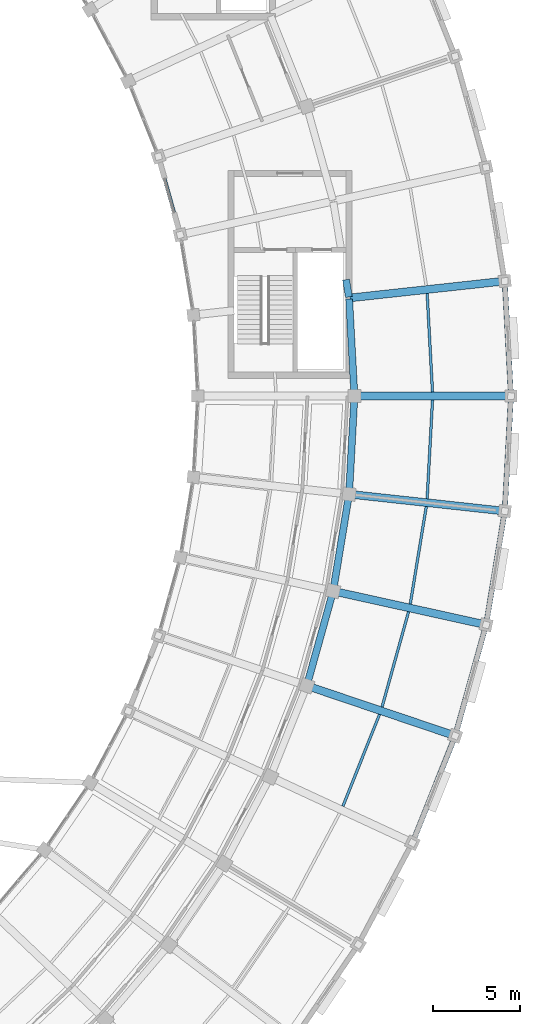
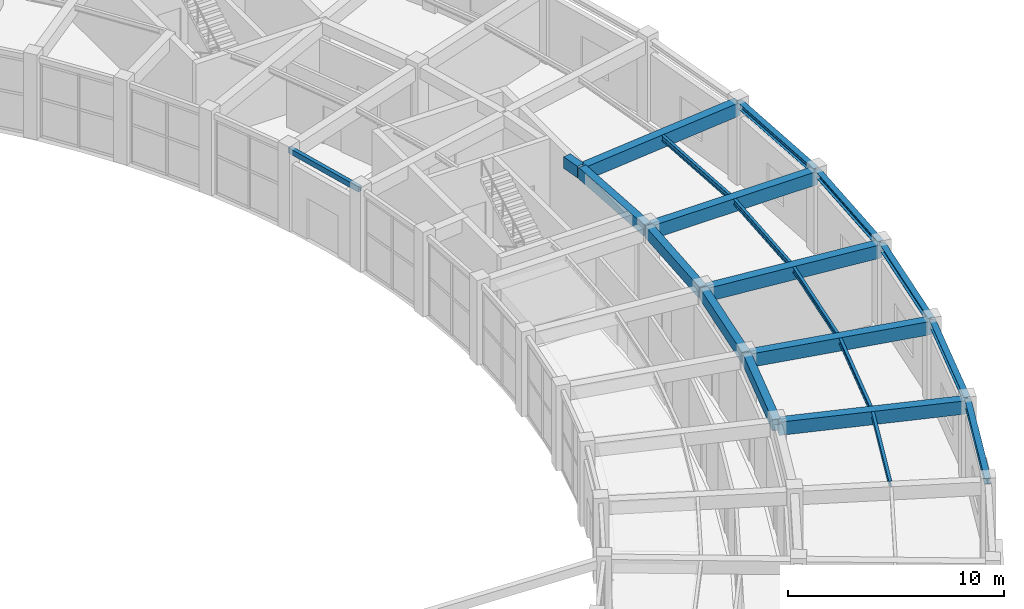
# One storey, part 69 of 108: 21 beams.
"""IFC4 building model written with IfcOpenShell, lengths in metres."""

from ifc_helpers import new_model, si_unit, direction, frame, origin, origin_2d, place, context, subcontext, project, spatial, rectangle, hollow_rectangle, i_section, extrude, material, material_profile, profile_set, type_object, element, save


model = new_model("IFC4")

# Units and contexts
model_context = context("Model", 3, precision=1e-05, world=origin(), true_north=direction((0.0, 1.0)))
body_context = subcontext(model_context, "Body", "Model", "MODEL_VIEW")
ifc_project = project(units=[si_unit("LENGTHUNIT", "METRE"), si_unit("AREAUNIT", "SQUARE_METRE"), si_unit("VOLUMEUNIT", "CUBIC_METRE"), si_unit("PLANEANGLEUNIT", "RADIAN"), si_unit("MASSUNIT", "GRAM", prefix="KILO")], contexts=[model_context])

# Site, building, storey
site_placement = place(None, origin())
site = spatial("IfcSite", under=ifc_project, at=site_placement, CompositionType="ELEMENT")
building_placement = place(site_placement, origin())
building = spatial("IfcBuilding", under=site, at=building_placement, Name="Tarnveldt Headland Concert Hall", CompositionType="ELEMENT")
storey_placement = place(building_placement, origin())
storey = spatial("IfcBuildingStorey", under=building, at=storey_placement, Name="L00", CompositionType="ELEMENT", Elevation=0.0)

# Beams
ifc_material_1 = material(Name="Concrete C40/50", Category="concrete")
ifc_material_profile_1 = material_profile(ifc_material_1, rectangle(XDim=0.39990234375, YDim=0.64990234375, at=origin_2d()), Name="RC 400x650", Category="concrete")
ifc_profile_set_1 = profile_set([ifc_material_profile_1], Name="Concrete C40/50")
beam_type_1 = type_object("IfcBeamType", Name="CB-400x650", PredefinedType="BEAM", material=ifc_profile_set_1)
for number, where, z_axis, x_axis, name in (
    (1, (166.78076171875, 43.41455078125, 4.195068359375), (0.268165788284, 0.963372778313, 0.0), (-0.963372778313, 0.268165788284, 0.0), "Framing beam L00-469"),
    (2, (168.2880859375, 48.853515625, 4.195068359375), (0.16219127416, 0.986759337724, 0.0), (-0.986759337724, 0.16219127416, 0.0), "Framing beam L00-476"),
    (3, (169.197021484375, 54.423828125, 4.195068359375), (0.054224156809, 0.998528788177, 0.0), (-0.998528788177, 0.054224156809, 0.0), "Framing beam L00-483"),
    (4, (169.49658203125, 60.059814453125, 4.195068359375), (-0.054224156809, 0.998528788177, 0.0), (-0.998528788177, -0.054224156809, 0.0), "Framing beam L00-490"),
):
    element("IfcBeam", number, at=place(storey_placement, frame(where, z_axis=z_axis, x_axis=x_axis)), inside=storey, type_object=beam_type_1, Name=name, PredefinedType="BEAM", context=body_context, shape_type="SweptSolid", body=[
        extrude(rectangle(XDim=0.39990234375, YDim=0.64990234375, at=origin_2d()), origin(), (0.0, 0.0, 1.0), 5.5244140625),
    ])
beam_1_placement = place(storey_placement, frame((169.18408203125, 65.6953125, 4.195068359375), z_axis=(-0.16224524411, 0.986750465297, 0.0), x_axis=(-0.986750465297, -0.16224524411, 0.0)))
element("IfcBeam", 5, at=beam_1_placement, inside=storey, type_object=beam_type_1, Name="Framing beam L00-497", PredefinedType="BEAM", context=body_context, shape_type="SweptSolid", body=[
    extrude(rectangle(XDim=0.39990234375, YDim=0.64990234375, at=origin_2d()), origin(), (0.0, 0.0, 1.0), 1.01123046875),
])
ifc_material_profile_2 = material_profile(ifc_material_1, rectangle(XDim=0.449951171875, YDim=0.75, at=origin_2d()), Name="RC 450x750", Category="concrete")
ifc_profile_set_2 = profile_set([ifc_material_profile_2], Name="Concrete C40/50")
beam_type_2 = type_object("IfcBeamType", Name="CB-450x750", PredefinedType="BEAM", material=ifc_profile_set_2)
for number, where, z_axis, x_axis, name in (
    (6, (166.8212890625, 43.337646484375, 4.14501953125), (0.947394358085, -0.320068633686, 0.0), (0.320068633686, 0.947394358085, 0.0), "Framing beam L00-467"),
    (7, (168.3369140625, 48.781494140625, 4.14501953125), (0.976505569656, -0.215492163268, 0.0), (0.215492163268, 0.976505569656, 0.0), "Framing beam L00-474"),
):
    element("IfcBeam", number, at=place(storey_placement, frame(where, z_axis=z_axis, x_axis=x_axis)), inside=storey, type_object=beam_type_2, Name=name, PredefinedType="BEAM", context=body_context, shape_type="SweptSolid", body=[
        extrude(rectangle(XDim=0.449951171875, YDim=0.75, at=origin_2d()), origin(), (0.0, 0.0, 1.0), 8.880126953125),
    ])
for number, where, z_axis, x_axis, name in (
    (8, (169.25341796875, 54.357421875, 4.14501953125), (0.994109611255, -0.108379337562, 0.0), (0.108379337562, 0.994109611255, 0.0), "Framing beam L00-481"),
    (9, (169.56005859375, 60.0, 4.14501953125), (1.0, 0.0, 0.0), (0.0, 1.0, 0.0), "Framing beam L00-488"),
    (10, (169.25341796875, 65.642578125, 4.14501953125), (0.994109611255, 0.108379337562, 0.0), (-0.108379337562, 0.994109611255, 0.0), "Framing beam L00-495"),
):
    element("IfcBeam", number, at=place(storey_placement, frame(where, z_axis=z_axis, x_axis=x_axis)), inside=storey, type_object=beam_type_2, Name=name, PredefinedType="BEAM", context=body_context, shape_type="SweptSolid", body=[
        extrude(rectangle(XDim=0.449951171875, YDim=0.75, at=origin_2d()), origin(), (0.0, 0.0, 1.0), 8.8798828125),
    ])
ifc_material_2 = material(Name="Steel S355", Category="steel")
ifc_material_profile_3 = material_profile(ifc_material_2, i_section(OverallWidth=0.300048828125, OverallDepth=0.35009765625, WebThickness=0.010009765625, FlangeThickness=0.017578125, FilletRadius=0.027099609375, at=origin_2d()), Name="HEA360", Category="steel")
ifc_profile_set_3 = profile_set([ifc_material_profile_3], Name="Steel S355")
beam_type_3 = type_object("IfcBeamType", Name="SB-HEA360", PredefinedType="SPANDREL", material=ifc_profile_set_3)
beam_2_placement = place(storey_placement, frame((172.85693359375, 34.38330078125, 4.344970703125), z_axis=(0.370995678575, 0.928634592549, 0.0), x_axis=(-0.928634592549, 0.370995678575, 0.0)))
element("IfcBeam", 11, at=beam_2_placement, inside=storey, type_object=beam_type_3, Name="Framing beam L00-463", PredefinedType="SPANDREL", context=body_context, shape_type="SweptSolid", body=[
    extrude(i_section(OverallWidth=0.300048828125, OverallDepth=0.35009765625, WebThickness=0.010009765625, FlangeThickness=0.017578125, FilletRadius=0.027099609375, at=origin_2d()), origin(), (0.0, 0.0, 1.0), 6.5009765625),
])
beam_3_placement = place(storey_placement, frame((175.307373046875, 40.533935546875, 4.344970703125), z_axis=(0.268162889674, 0.963373585169, 0.0), x_axis=(-0.963373585169, 0.268162889674, 0.0)))
element("IfcBeam", 12, at=beam_3_placement, inside=storey, type_object=beam_type_3, Name="Framing beam L00-470", PredefinedType="SPANDREL", context=body_context, shape_type="SweptSolid", body=[
    extrude(i_section(OverallWidth=0.300048828125, OverallDepth=0.35009765625, WebThickness=0.010009765625, FlangeThickness=0.017578125, FilletRadius=0.027099609375, at=origin_2d()), origin(), (0.0, 0.0, 1.0), 6.501220703125),
])
beam_4_placement = place(storey_placement, frame((177.076416015625, 46.9140625, 4.344970703125), z_axis=(0.162188067735, 0.986759864752, 0.0), x_axis=(-0.986759864752, 0.162188067735, 0.0)))
element("IfcBeam", 13, at=beam_4_placement, inside=storey, type_object=beam_type_3, Name="Framing beam L00-477", PredefinedType="SPANDREL", context=body_context, shape_type="SweptSolid", body=[
    extrude(i_section(OverallWidth=0.300048828125, OverallDepth=0.35009765625, WebThickness=0.010009765625, FlangeThickness=0.017578125, FilletRadius=0.027099609375, at=origin_2d()), origin(), (0.0, 0.0, 1.0), 6.50146484375),
])
for number, where, z_axis, x_axis, name in (
    (14, (178.143798828125, 53.448486328125, 4.344970703125), (0.054263670447, 0.998526641642, 0.0), (-0.998526641642, 0.054263670447, 0.0), "Framing beam L00-484"),
    (15, (178.49658203125, 60.059814453125, 4.344970703125), (-0.054263670447, 0.998526641642, 0.0), (-0.998526641642, -0.054263670447, 0.0), "Framing beam L00-491"),
):
    element("IfcBeam", number, at=place(storey_placement, frame(where, z_axis=z_axis, x_axis=x_axis)), inside=storey, type_object=beam_type_3, Name=name, PredefinedType="SPANDREL", context=body_context, shape_type="SweptSolid", body=[
        extrude(i_section(OverallWidth=0.300048828125, OverallDepth=0.35009765625, WebThickness=0.010009765625, FlangeThickness=0.017578125, FilletRadius=0.027099609375, at=origin_2d()), origin(), (0.0, 0.0, 1.0), 6.501220703125),
    ])
ifc_material_profile_4 = material_profile(ifc_material_2, i_section(OverallWidth=0.14990234375, OverallDepth=0.300048828125, WebThickness=0.007080078125, FlangeThickness=0.0107421875, FilletRadius=0.014892578125, at=origin_2d()), Name="IPE300", Category="steel")
ifc_profile_set_4 = profile_set([ifc_material_profile_4], Name="Steel S355")
beam_type_4 = type_object("IfcBeamType", Name="SB-IPE300", PredefinedType="JOIST", material=ifc_profile_set_4)
beam_5_placement = place(storey_placement, frame((168.836181640625, 36.430419921875, 4.3701171875), z_axis=(0.370983235335, 0.928639563609, 0.0), x_axis=(-0.928639563609, 0.370983235335, 0.0)))
element("IfcBeam", 16, at=beam_5_placement, inside=storey, type_object=beam_type_4, Name="Framing beam L00-465", PredefinedType="JOIST", context=body_context, shape_type="SweptSolid", body=[
    extrude(i_section(OverallWidth=0.14990234375, OverallDepth=0.300048828125, WebThickness=0.007080078125, FlangeThickness=0.0107421875, FilletRadius=0.014892578125, at=origin_2d()), origin(), (0.0, 0.0, 1.0), 5.6826171875),
])
for number, where, z_axis, x_axis, name in (
    (17, (171.088134765625, 42.13330078125, 4.3701171875), (0.268206621843, 0.963361410894, 0.0), (-0.963361410894, 0.268206621843, 0.0), "Framing beam L00-472"),
    (18, (172.708984375, 48.046630859375, 4.3701171875), (0.16217623031, 0.986761810328, 0.0), (-0.986761810328, 0.16217623031, 0.0), "Framing beam L00-479"),
):
    element("IfcBeam", number, at=place(storey_placement, frame(where, z_axis=z_axis, x_axis=x_axis)), inside=storey, type_object=beam_type_4, Name=name, PredefinedType="JOIST", context=body_context, shape_type="SweptSolid", body=[
        extrude(i_section(OverallWidth=0.14990234375, OverallDepth=0.300048828125, WebThickness=0.007080078125, FlangeThickness=0.0107421875, FilletRadius=0.014892578125, at=origin_2d()), origin(), (0.0, 0.0, 1.0), 5.682861328125),
    ])
for number, where, z_axis, x_axis, name in (
    (19, (173.679443359375, 54.10107421875, 4.3701171875), (0.054261221773, 0.998526774709, 0.0), (-0.998526774709, 0.054261221773, 0.0), "Framing beam L00-486"),
    (20, (173.98779296875, 60.224609375, 4.3701171875), (-0.054261221773, 0.998526774709, 0.0), (-0.998526774709, -0.054261221773, 0.0), "Framing beam L00-493"),
):
    element("IfcBeam", number, at=place(storey_placement, frame(where, z_axis=z_axis, x_axis=x_axis)), inside=storey, type_object=beam_type_4, Name=name, PredefinedType="JOIST", context=body_context, shape_type="SweptSolid", body=[
        extrude(i_section(OverallWidth=0.14990234375, OverallDepth=0.300048828125, WebThickness=0.007080078125, FlangeThickness=0.0107421875, FilletRadius=0.014892578125, at=origin_2d()), origin(), (0.0, 0.0, 1.0), 5.6826171875),
    ])
ifc_material_profile_5 = material_profile(ifc_material_2, hollow_rectangle(XDim=0.199951171875, YDim=0.300048828125, WallThickness=0.012451171875, at=origin_2d()), Name="RHS 300x200x12.5", Category="steel")
ifc_profile_set_5 = profile_set([ifc_material_profile_5], Name="Steel S355")
beam_type_5 = type_object("IfcBeamType", Name="SB-RHS300", PredefinedType="SPANDREL", material=ifc_profile_set_5)
beam_6_placement = place(storey_placement, frame((159.4736328125, 69.323974609375, 4.3701171875), z_axis=(-0.268169932327, 0.963371624761, 0.0), x_axis=(-0.963371624761, -0.268169932327, 0.0)))
element("IfcBeam", 21, at=beam_6_placement, inside=storey, type_object=beam_type_5, Name="Framing beam L00-504", PredefinedType="SPANDREL", context=body_context, shape_type="SweptSolid", body=[
    extrude(hollow_rectangle(XDim=0.199951171875, YDim=0.300048828125, WallThickness=0.012451171875, at=origin_2d()), origin(), (0.0, 0.0, 1.0), 4.54736328125),
])

save(model, "model.ifc")
